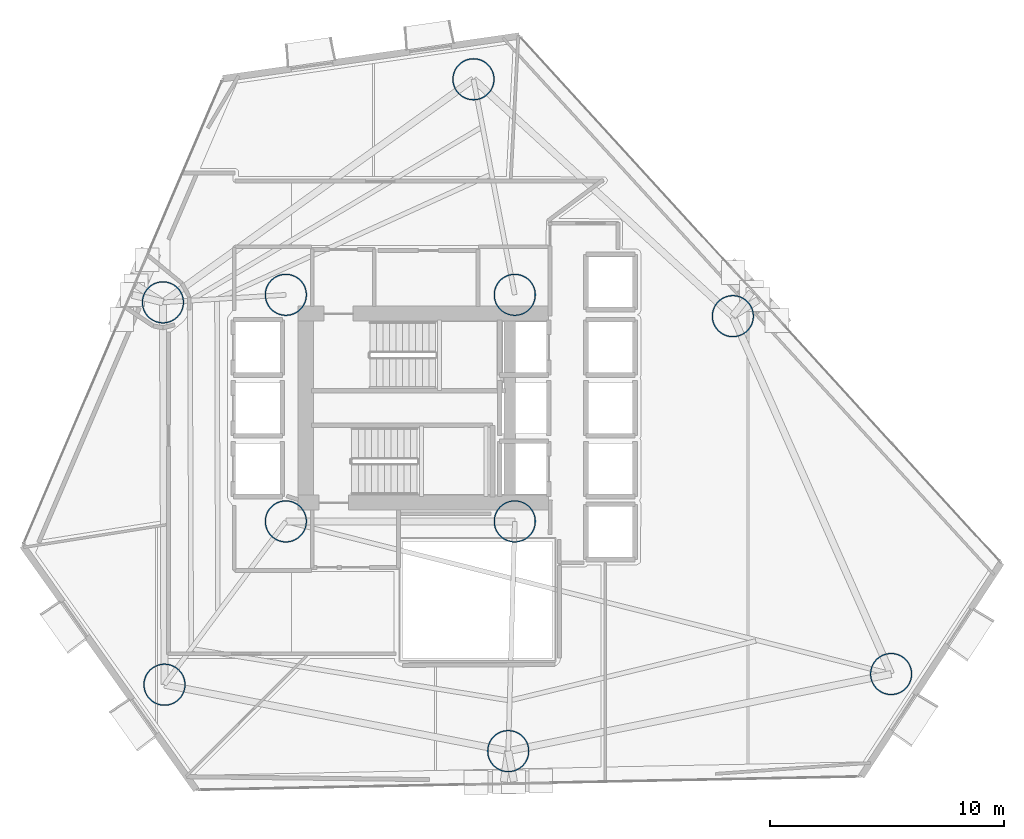
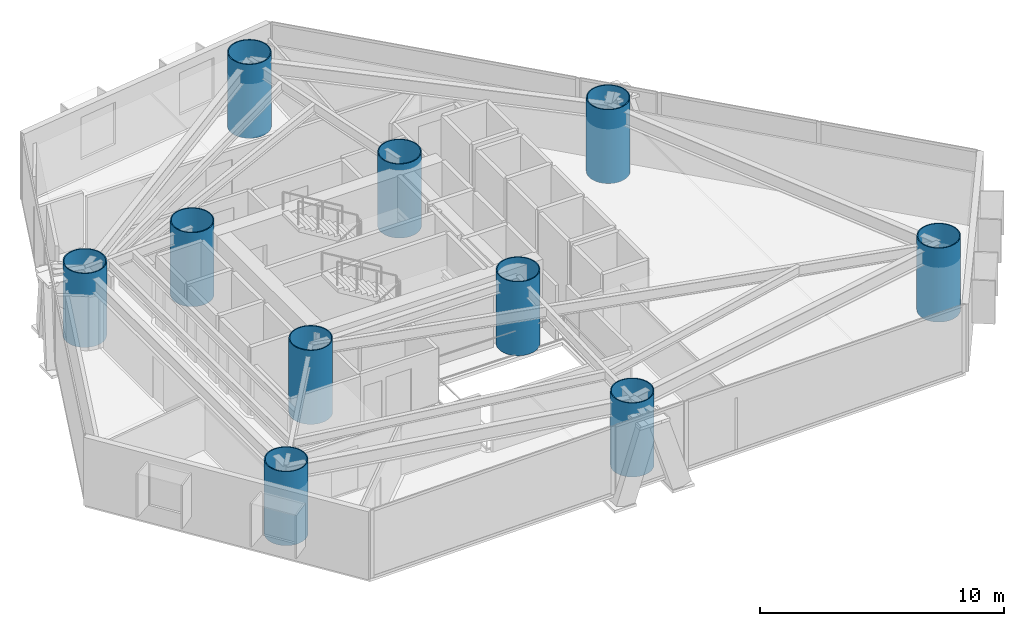
# One storey, part 1 of 22: 10 columns.
"""IFC4 building model written with IfcOpenShell, lengths in metres."""

from ifc_helpers import new_model, si_unit, direction, frame, origin, origin_2d, place, context, subcontext, project, spatial, hollow_circle, extrude, material, material_profile, profile_set, type_object, element, save


model = new_model("IFC4")

# Units and contexts
model_context = context("Model", 3, precision=1e-05, world=origin(), true_north=direction((0.0, 1.0)))
body_context = subcontext(model_context, "Body", "Model", "MODEL_VIEW")
ifc_project = project(units=[si_unit("LENGTHUNIT", "METRE"), si_unit("AREAUNIT", "SQUARE_METRE"), si_unit("VOLUMEUNIT", "CUBIC_METRE"), si_unit("PLANEANGLEUNIT", "RADIAN"), si_unit("MASSUNIT", "GRAM", prefix="KILO")], contexts=[model_context])

# Site, building, storey
site_placement = place(None, origin())
site = spatial("IfcSite", under=ifc_project, at=site_placement, CompositionType="ELEMENT")
building_placement = place(site_placement, origin())
building = spatial("IfcBuilding", under=site, at=building_placement, Name="Qianvela Tower", CompositionType="ELEMENT")
storey_placement = place(building_placement, frame((0.0, 0.0, 44.199951171875)))
storey = spatial("IfcBuildingStorey", under=building, at=storey_placement, Name="L10", CompositionType="ELEMENT", Elevation=44.199951171875)

# Columns
ifc_material = material(Name="Steel Q420GJC", Category="steel")
ifc_material_profile = material_profile(ifc_material, hollow_circle(Radius=0.89990234375, WallThickness=0.044921875, at=origin_2d()), Name="CFT-1800x45")
ifc_profile_set = profile_set([ifc_material_profile], Name="Steel Q420GJC")
column_type = type_object("IfcColumnType", Name="COL-CFT-1800x45", PredefinedType="COLUMN", material=ifc_profile_set)
for number, where, z_axis, x_axis, name in (
    (1, (28.60009765625, 33.550048828125, 0.0), (0.0, 0.0, 1.0), (1.0, 0.0, 0.0), "L10 Core Corner Mega-Column CC-NW"),
    (2, (28.60009765625, 23.85009765625, 0.0), (0.0, 0.0, 1.0), (1.0, 0.0, 0.0), "L10 Core Corner Mega-Column CC-SW"),
    (3, (38.39990234375, 33.550048828125, 0.0), (0.0, 0.0, 1.0), (1.0, 0.0, 0.0), "L10 Core Corner Mega-Column CC-NE"),
    (4, (38.39990234375, 23.85009765625, 0.0), (0.0, 0.0, 1.0), (1.0, 0.0, 0.0), "L10 Core Corner Mega-Column CC-SE"),
    (5, (54.511962890625, 17.31689453125, 0.0), (0.0, 0.0, 1.0), (1.0, 0.0, 0.0), "L10 Zone Z1 CFT Mega-Column C1"),
    (6, (47.736083984375, 32.636962890625, 0.0), (0.0, 0.0, 1.0), (1.0, 0.0, 0.0), "L10 Zone Z1 CFT Mega-Column C2"),
    (7, (36.632080078125, 42.778076171875, 0.0), (0.0, 0.0, 1.0), (1.0, 0.0, 0.0), "L10 Zone Z1 CFT Mega-Column C3"),
    (8, (23.337890625, 33.22802734375, 0.0), (0.0, 0.0, 1.0), (1.0, 0.0, 0.0), "L10 Zone Z1 CFT Mega-Column C4"),
    (9, (23.404052734375, 16.860107421875, 0.0), (0.0, 0.0, 1.0), (1.0, 0.0, 0.0), "L10 Zone Z1 CFT Mega-Column C5"),
    (10, (38.1201171875, 14.01611328125, 0.0), (0.0, 0.0, 1.0), (1.0, 0.0, 0.0), "L10 Zone Z1 CFT Mega-Column C6"),
):
    element("IfcColumn", number, at=place(storey_placement, frame(where, z_axis=z_axis, x_axis=x_axis)), inside=storey, type_object=column_type, Name=name, PredefinedType="COLUMN", context=body_context, shape_type="SweptSolid", body=[
        extrude(hollow_circle(Radius=0.89990234375, WallThickness=0.044921875, at=origin_2d()), origin(), (0.0, 0.0, 1.0), 3.699951171875),
    ])

save(model, "model.ifc")
